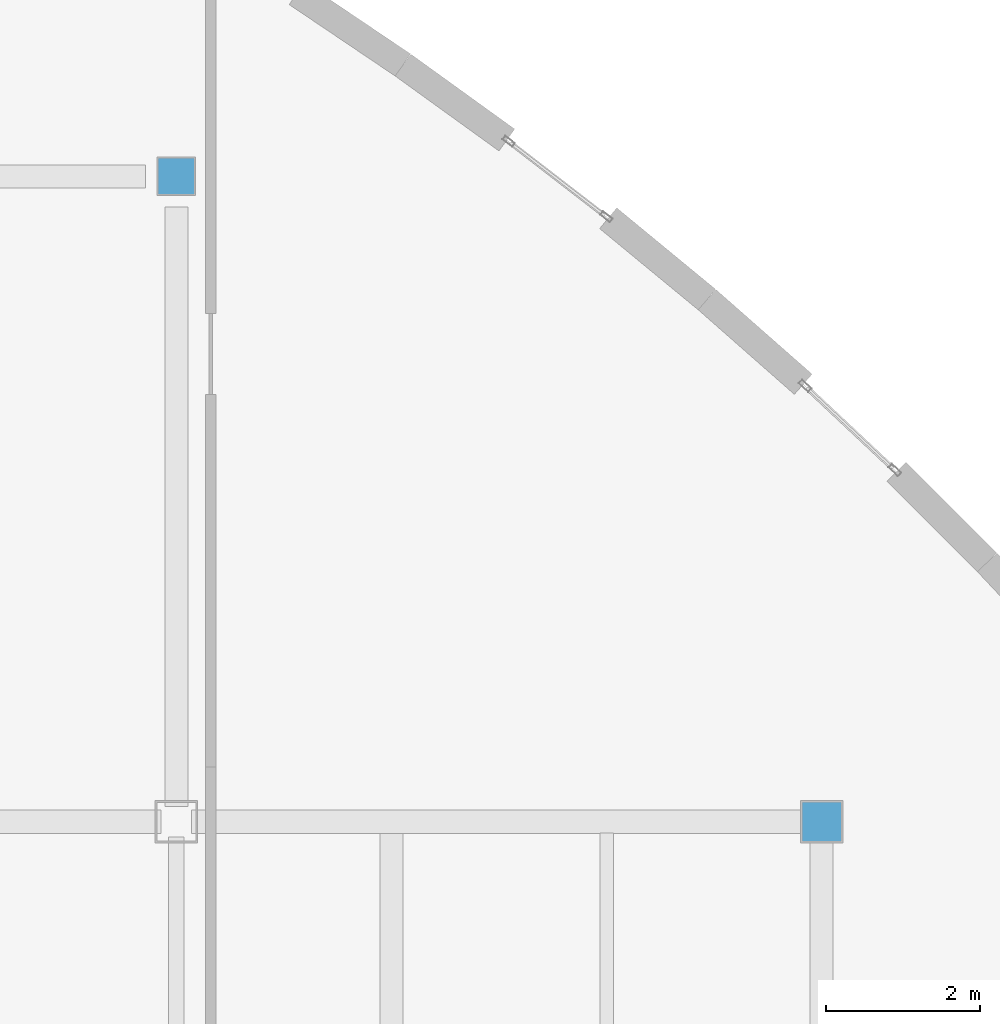
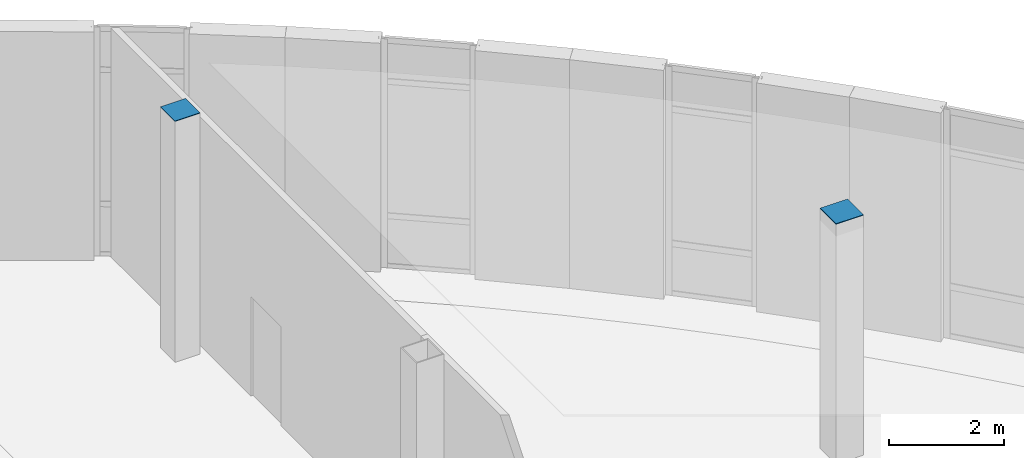
# One storey, part 85 of 104: 2 discrete accessories.
"""IFC4 building model written with IfcOpenShell, lengths in metres."""

from ifc_helpers import new_model, si_unit, direction, frame, origin, origin_2d, place, context, subcontext, project, spatial, rectangle, extrude, material, type_object, element, save


model = new_model("IFC4")

# Units and contexts
model_context = context("Model", 3, precision=1e-05, world=origin(), true_north=direction((0.0, 1.0)))
body_context = subcontext(model_context, "Body", "Model", "MODEL_VIEW")
ifc_project = project(units=[si_unit("LENGTHUNIT", "METRE"), si_unit("AREAUNIT", "SQUARE_METRE"), si_unit("VOLUMEUNIT", "CUBIC_METRE"), si_unit("PLANEANGLEUNIT", "RADIAN"), si_unit("MASSUNIT", "GRAM", prefix="KILO"), si_unit("THERMODYNAMICTEMPERATUREUNIT", "KELVIN")], contexts=[model_context])

# Site, building, storey
site_placement = place(None, origin())
site = spatial("IfcSite", under=ifc_project, at=site_placement, CompositionType="ELEMENT")
building_placement = place(site_placement, origin())
building = spatial("IfcBuilding", under=site, at=building_placement, Name="Lustrewick Department Store", CompositionType="ELEMENT")
storey_placement = place(building_placement, frame((0.0, 0.0, 11.39990234375)))
storey = spatial("IfcBuildingStorey", under=building, at=storey_placement, Name="L03", CompositionType="ELEMENT", Elevation=11.39990234375)

# Discrete accessories
ifc_material = material(Name="Structural steel Q355C", Category="steel")
discrete_accessory_type = type_object("IfcDiscreteAccessoryType", Name="ECP-01", PredefinedType="USERDEFINED", material=ifc_material)
discrete_accessory_1_placement = place(storey_placement, frame((151.199951171875, 92.39990234375, 5.093994140625), z_axis=(0.0, 0.0, 1.0), x_axis=(1.0, 0.0, 0.0)))
element("IfcDiscreteAccessory", 1, at=discrete_accessory_1_placement, inside=storey, type_object=discrete_accessory_type, Name="L03 Welded Hollow-Section End-Cap Plate ECP-01", ObjectType="END_CAP_PLATE", PredefinedType="USERDEFINED", context=body_context, shape_type="SweptSolid", body=[
    extrude(rectangle(XDim=0.550048828125, YDim=0.550048828125, at=origin_2d()), origin(), (0.0, 0.0, 1.0), 0.01611328125),
])
discrete_accessory_2_placement = place(storey_placement, frame((142.800048828125, 100.800048828125, 5.093994140625), z_axis=(0.0, 0.0, 1.0), x_axis=(1.0, 0.0, 0.0)))
element("IfcDiscreteAccessory", 2, at=discrete_accessory_2_placement, inside=storey, type_object=discrete_accessory_type, Name="L03 Welded Hollow-Section End-Cap Plate ECP-01", ObjectType="END_CAP_PLATE", PredefinedType="USERDEFINED", context=body_context, shape_type="SweptSolid", body=[
    extrude(rectangle(XDim=0.5, YDim=0.5, at=origin_2d()), origin(), (0.0, 0.0, 1.0), 0.01611328125),
])

save(model, "model.ifc")
